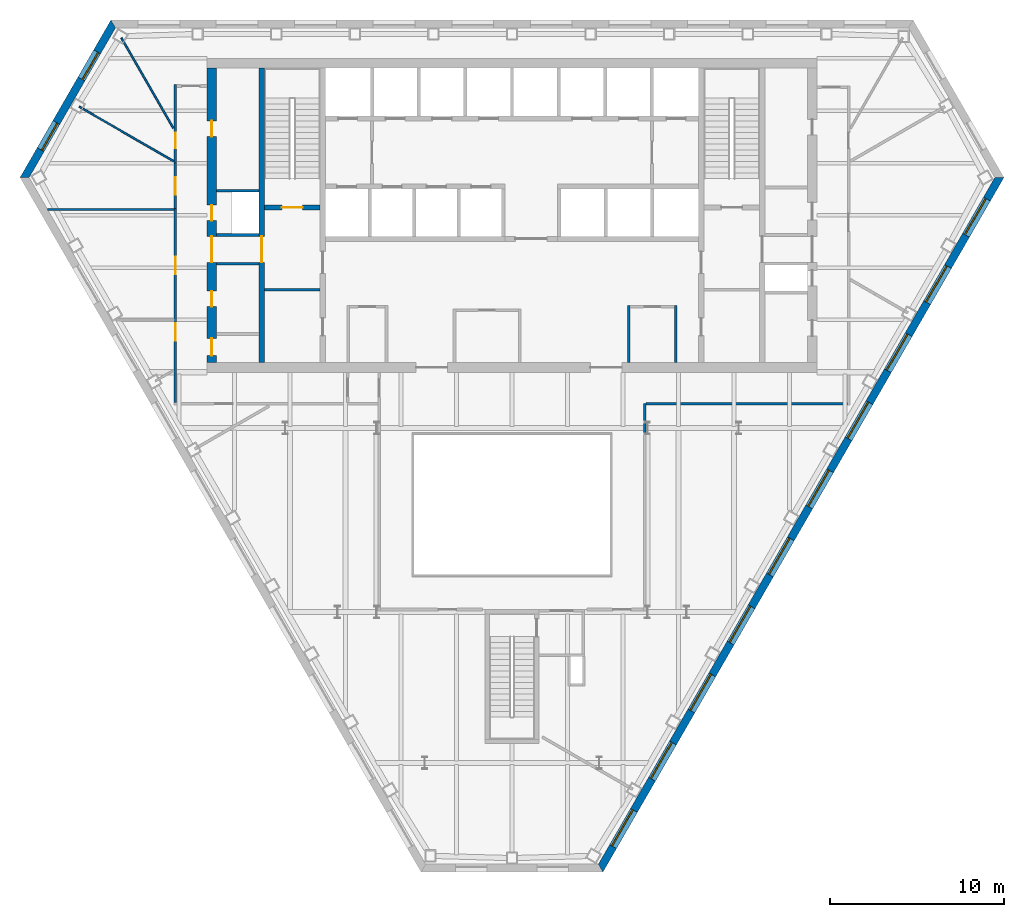
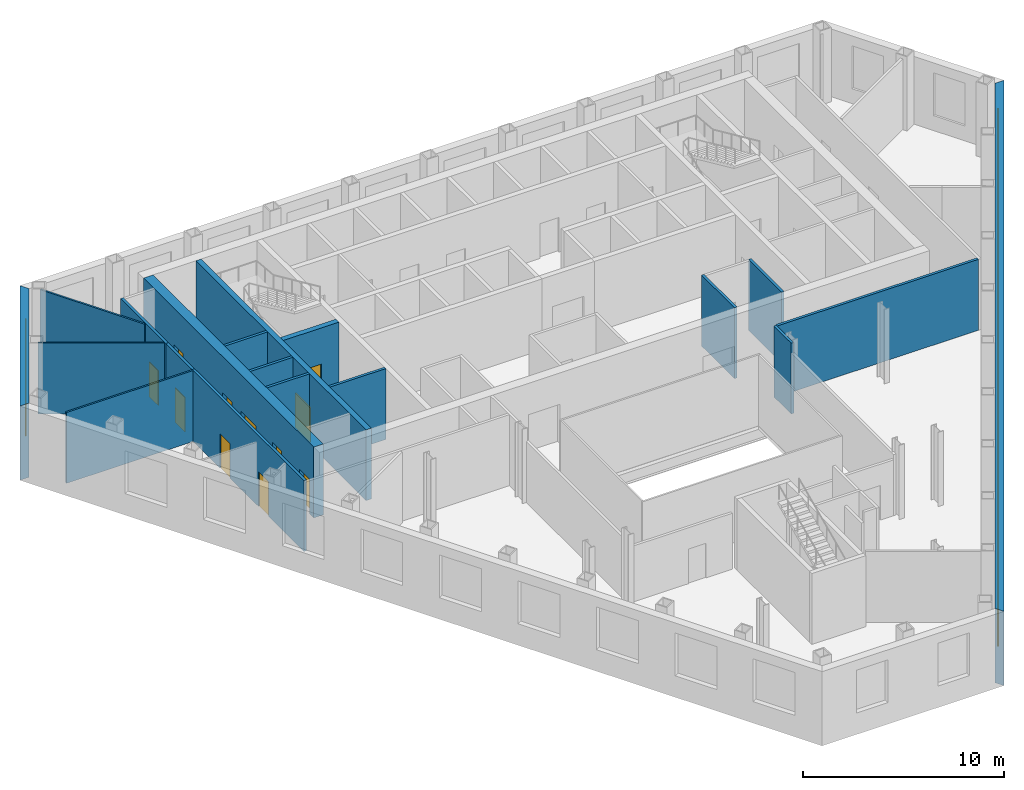
# One storey, part 5 of 11: 19 walls, 12 windows, 11 doors, 23 openings.
"""IFC4 building model written with IfcOpenShell, lengths in metres."""

from ifc_helpers import new_model, si_unit, direction, frame, frame_2d, origin, place, context, subcontext, project, spatial, polyline, rectangle, outline, extrude, material, layer, layer_set, type_object, element, fill, save


model = new_model("IFC4")

# Units and contexts
model_context = context("Model", 3, precision=1e-05, world=origin(), true_north=direction((0.0, 1.0)))
body_context = subcontext(model_context, "Body", "Model", "MODEL_VIEW")
ifc_project = project(units=[si_unit("LENGTHUNIT", "METRE"), si_unit("AREAUNIT", "SQUARE_METRE"), si_unit("VOLUMEUNIT", "CUBIC_METRE"), si_unit("PLANEANGLEUNIT", "RADIAN"), si_unit("MASSUNIT", "GRAM", prefix="KILO")], contexts=[model_context])

# Site, building, storey
site_placement = place(None, origin())
site = spatial("IfcSite", under=ifc_project, at=site_placement, CompositionType="ELEMENT")
building_placement = place(site_placement, origin())
building = spatial("IfcBuilding", under=site, at=building_placement, Name="Njiva Tower", CompositionType="ELEMENT")
storey_placement = place(building_placement, frame((0.0, 0.0, 88.8)))
storey = spatial("IfcBuildingStorey", under=building, at=storey_placement, Name="L18", CompositionType="ELEMENT", Elevation=88.8)

# Walls
ifc_material_1 = material(Name="Blockwork", Category="masonry")
ifc_layer_1 = layer(ifc_material_1, 0.15)
ifc_layer_set_1 = layer_set([ifc_layer_1], Name="Blockwork")
wall_type_1 = type_object("IfcWallType", Name="WT1 Compartment partition 150", PredefinedType="PARTITIONING", material=ifc_layer_set_1)
wall_1_placement = place(storey_placement, frame((-14.2, 4.725, 0.0), z_axis=(0.0, 0.0, 1.0), x_axis=(1.0, 0.0, 0.0)))
element("IfcWall", 1, at=wall_1_placement, inside=storey, type_object=wall_type_1, Name="Room wall A", PredefinedType="PARTITIONING", context=body_context, shape_type="SweptSolid", body=[
    extrude(rectangle(XDim=3.2, YDim=0.15, at=frame_2d((1.6, 0.0))), origin(), (0.0, 0.0, 1.0), 4.3),
])
for number, where, z_axis, x_axis, name in (
    (2, (6.7, 0.55, 0.0), (0.0, 0.0, 1.0), (0.0, 1.0, 0.0), "Information office wall west"),
    (3, (9.4, 0.55, 0.0), (0.0, 0.0, 1.0), (0.0, 1.0, 0.0), "Information office wall east"),
):
    element("IfcWall", number, at=place(storey_placement, frame(where, z_axis=z_axis, x_axis=x_axis)), inside=storey, type_object=wall_type_1, Name=name, PredefinedType="PARTITIONING", context=body_context, shape_type="SweptSolid", body=[
        extrude(rectangle(XDim=3.275, YDim=0.15, at=frame_2d((1.6375, 0.0))), origin(), (0.0, 0.0, 1.0), 4.3),
    ])

# Wall, opening, door
ifc_material_2 = material(Name="Concrete C40/50", Category="concrete")
ifc_layer_2 = layer(ifc_material_2, 0.3)
ifc_layer_set_2 = layer_set([ifc_layer_2], Name="Concrete C40/50")
wall_type_2 = type_object("IfcWallType", Name="WT10 Stair enclosure wall 300", PredefinedType="SHEAR", material=ifc_layer_set_2)
wall_2_placement = place(storey_placement, frame((-14.35, 0.55, 0.0), z_axis=(0.0, 0.0, 1.0), x_axis=(0.0, 1.0, 0.0)))
wall_2 = element("IfcWall", 4, at=wall_2_placement, inside=storey, type_object=wall_type_2, Name="Stair wall west outer", PredefinedType="SHEAR", context=body_context, shape_type="SweptSolid", body=[
    extrude(rectangle(XDim=16.9, YDim=0.3, at=frame_2d((8.45, 0.0))), origin(), (0.0, 0.0, 1.0), 4.3),
])
opening_1_placement = place(wall_2_placement, frame((5.75, 0.0, 0.0)))
opening_1 = element("IfcOpeningElement", 5, at=opening_1_placement, cuts=wall_2, Name="Opening S06-D920", PredefinedType="OPENING", context=body_context, shape_type="SweptSolid", body=[
    extrude(rectangle(XDim=1.5, YDim=2.1, at=frame_2d((0.75, 1.05))), frame((0.0, 0.16, 0.0), z_axis=(0.0, -1.0, 0.0), x_axis=(1.0, 0.0, 0.0)), (0.0, 0.0, 1.0), 0.32),
])
ifc_material_3 = material(Name="Glazed steel fire door", Category="steel")
door_type_1 = type_object("IfcDoorType", Name="D10 Exit door double 1500x2100 glazed", OperationType="DOUBLE_DOOR_SINGLE_SWING", PredefinedType="DOOR", material=ifc_material_3)
door_1_placement = place(opening_1_placement, origin())
door_1 = element("IfcDoor", 6, at=door_1_placement, inside=storey, type_object=door_type_1, Name="Stair A passage door", OperationType="DOUBLE_DOOR_SINGLE_SWING", OverallHeight=2.1, OverallWidth=1.5, PredefinedType="DOOR", context=body_context, shape_type="SweptSolid", body=[
    extrude(rectangle(XDim=1.5, YDim=2.1, at=frame_2d((0.75, 1.05))), frame((0.0, 0.025, 0.0), z_axis=(0.0, -1.0, 0.0), x_axis=(1.0, 0.0, 0.0)), (0.0, 0.0, 1.0), 0.05),
])
fill(opening_1, door_1)

wall_3_placement = place(storey_placement, frame((-14.2, 9.45, 0.0), z_axis=(0.0, 0.0, 1.0), x_axis=(1.0, 0.0, 0.0)))
wall_3 = element("IfcWall", 7, at=wall_3_placement, inside=storey, type_object=wall_type_2, Name="Stair A south wall", PredefinedType="SHEAR", context=body_context, shape_type="SweptSolid", body=[
    extrude(rectangle(XDim=3.2, YDim=0.3, at=frame_2d((1.6, 0.0))), origin(), (0.0, 0.0, 1.0), 4.3),
])
opening_2_placement = place(wall_3_placement, frame((1.0, 0.0, 0.0)))
opening_2 = element("IfcOpeningElement", 8, at=opening_2_placement, cuts=wall_3, Name="Opening S06-D913", PredefinedType="OPENING", context=body_context, shape_type="SweptSolid", body=[
    extrude(rectangle(XDim=1.2, YDim=2.1, at=frame_2d((0.6, 1.05))), frame((0.0, 0.16, 0.0), z_axis=(0.0, -1.0, 0.0), x_axis=(1.0, 0.0, 0.0)), (0.0, 0.0, 1.0), 0.32),
])
door_type_2 = type_object("IfcDoorType", Name="D7 Stair vestibule door 1200x2100 glazed", OperationType="SINGLE_SWING_LEFT", PredefinedType="DOOR", material=ifc_material_3)
door_2_placement = place(opening_2_placement, origin())
door_2 = element("IfcDoor", 9, at=door_2_placement, inside=storey, type_object=door_type_2, Name="Stair A door", OperationType="SINGLE_SWING_LEFT", OverallHeight=2.1, OverallWidth=1.2, PredefinedType="DOOR", context=body_context, shape_type="SweptSolid", body=[
    extrude(rectangle(XDim=1.2, YDim=2.1, at=frame_2d((0.6, 1.05))), frame((0.0, 0.025, 0.0), z_axis=(0.0, -1.0, 0.0), x_axis=(1.0, 0.0, 0.0)), (0.0, 0.0, 1.0), 0.05),
])
fill(opening_2, door_2)

# Wall, openings, doors
ifc_material_4 = material(Name="Concrete C60/75", Category="concrete")
ifc_layer_3 = layer(ifc_material_4, 0.55)
ifc_layer_set_3 = layer_set([ifc_layer_3], Name="Concrete C60/75")
wall_type_3 = type_object("IfcWallType", Name="WT14 Core wall 550", PredefinedType="SHEAR", material=ifc_layer_set_3)
wall_4_placement = place(storey_placement, frame((-17.225, 0.55, 0.0), z_axis=(0.0, 0.0, 1.0), x_axis=(0.0, 1.0, 0.0)))
wall_4 = element("IfcWall", 10, at=wall_4_placement, inside=storey, type_object=wall_type_3, Name="Core wall west", PredefinedType="SHEAR", context=body_context, shape_type="SweptSolid", body=[
    extrude(rectangle(XDim=16.9, YDim=0.55, at=frame_2d((8.45, 0.0))), origin(), (0.0, 0.0, 1.0), 4.3),
])
opening_3_placement = place(wall_4_placement, frame((5.75, 0.0, 0.0)))
opening_3 = element("IfcOpeningElement", 11, at=opening_3_placement, cuts=wall_4, Name="Opening S06-D921", PredefinedType="OPENING", context=body_context, shape_type="SweptSolid", body=[
    extrude(rectangle(XDim=1.5, YDim=2.1, at=frame_2d((0.75, 1.05))), frame((0.0, 0.285, 0.0), z_axis=(0.0, -1.0, 0.0), x_axis=(1.0, 0.0, 0.0)), (0.0, 0.0, 1.0), 0.57),
])
opening_4_placement = place(wall_4_placement, frame((0.4, 0.0, 0.0)))
opening_4 = element("IfcOpeningElement", 12, at=opening_4_placement, cuts=wall_4, Name="Opening S06-D922", PredefinedType="OPENING", context=body_context, shape_type="SweptSolid", body=[
    extrude(rectangle(XDim=1.0, YDim=2.1, at=frame_2d((0.5, 1.05))), frame((0.0, 0.285, 0.0), z_axis=(0.0, -1.0, 0.0), x_axis=(1.0, 0.0, 0.0)), (0.0, 0.0, 1.0), 0.57),
])
opening_5_placement = place(wall_4_placement, frame((3.2099, 0.0, 0.0)))
opening_5 = element("IfcOpeningElement", 13, at=opening_5_placement, cuts=wall_4, Name="Opening S06-D923", PredefinedType="OPENING", context=body_context, shape_type="SweptSolid", body=[
    extrude(rectangle(XDim=0.9, YDim=2.1, at=frame_2d((0.45, 1.05))), frame((0.0, 0.285, 0.0), z_axis=(0.0, -1.0, 0.0), x_axis=(1.0, 0.0, 0.0)), (0.0, 0.0, 1.0), 0.57),
])
opening_6_placement = place(wall_4_placement, frame((8.1409, 0.0, 0.0)))
opening_6 = element("IfcOpeningElement", 14, at=opening_6_placement, cuts=wall_4, Name="Opening S06-D924", PredefinedType="OPENING", context=body_context, shape_type="SweptSolid", body=[
    extrude(rectangle(XDim=0.9, YDim=2.1, at=frame_2d((0.45, 1.05))), frame((0.0, 0.285, 0.0), z_axis=(0.0, -1.0, 0.0), x_axis=(1.0, 0.0, 0.0)), (0.0, 0.0, 1.0), 0.57),
])
opening_7_placement = place(wall_4_placement, frame((12.9659, 0.0, 0.0)))
opening_7 = element("IfcOpeningElement", 15, at=opening_7_placement, cuts=wall_4, Name="Opening S06-D925", PredefinedType="OPENING", context=body_context, shape_type="SweptSolid", body=[
    extrude(rectangle(XDim=0.9, YDim=2.1, at=frame_2d((0.45, 1.05))), frame((0.0, 0.285, 0.0), z_axis=(0.0, -1.0, 0.0), x_axis=(1.0, 0.0, 0.0)), (0.0, 0.0, 1.0), 0.57),
])
door_3_placement = place(opening_3_placement, origin())
door_3 = element("IfcDoor", 16, at=door_3_placement, inside=storey, type_object=door_type_1, Name="Stair A corridor door", OperationType="DOUBLE_DOOR_SINGLE_SWING", OverallHeight=2.1, OverallWidth=1.5, PredefinedType="DOOR", context=body_context, shape_type="SweptSolid", body=[
    extrude(rectangle(XDim=1.5, YDim=2.1, at=frame_2d((0.75, 1.05))), frame((0.0, 0.025, 0.0), z_axis=(0.0, -1.0, 0.0), x_axis=(1.0, 0.0, 0.0)), (0.0, 0.0, 1.0), 0.05),
])
fill(opening_3, door_3)
ifc_material_5 = material(Name="Steel door, painted", Category="steel")
door_type_3 = type_object("IfcDoorType", Name="D4 Riser door 900x2100", OperationType="SINGLE_SWING_LEFT", PredefinedType="DOOR", material=ifc_material_5)
door_4_placement = place(opening_6_placement, origin())
door_4 = element("IfcDoor", 17, at=door_4_placement, inside=storey, type_object=door_type_3, Name="Riser door", OperationType="SINGLE_SWING_LEFT", OverallHeight=2.1, OverallWidth=0.9, PredefinedType="DOOR", context=body_context, shape_type="SweptSolid", body=[
    extrude(rectangle(XDim=0.9, YDim=2.1, at=frame_2d((0.45, 1.05))), frame((0.0, 0.025, 0.0), z_axis=(0.0, -1.0, 0.0), x_axis=(1.0, 0.0, 0.0)), (0.0, 0.0, 1.0), 0.05),
])
fill(opening_6, door_4)
door_type_4 = type_object("IfcDoorType", Name="D5 Steel door 1000x2100", OperationType="SINGLE_SWING_LEFT", PredefinedType="DOOR", material=ifc_material_5)
door_5_placement = place(opening_4_placement, origin())
door_5 = element("IfcDoor", 18, at=door_5_placement, inside=storey, type_object=door_type_4, Name="Electrical room door", OperationType="SINGLE_SWING_LEFT", OverallHeight=2.1, OverallWidth=1.0, PredefinedType="DOOR", context=body_context, shape_type="SweptSolid", body=[
    extrude(rectangle(XDim=1.0, YDim=2.1, at=frame_2d((0.5, 1.05))), frame((0.0, 0.025, 0.0), z_axis=(0.0, -1.0, 0.0), x_axis=(1.0, 0.0, 0.0)), (0.0, 0.0, 1.0), 0.05),
])
fill(opening_4, door_5)
ifc_material_6 = material(Name="Steel fire door, painted", Category="steel")
door_type_5 = type_object("IfcDoorType", Name="D6 Fire-rated door 900x2100", OperationType="SINGLE_SWING_LEFT", PredefinedType="DOOR", material=ifc_material_6)
door_6_placement = place(opening_5_placement, origin())
door_6 = element("IfcDoor", 19, at=door_6_placement, inside=storey, type_object=door_type_5, Name="First aid room door", OperationType="SINGLE_SWING_LEFT", OverallHeight=2.1, OverallWidth=0.9, PredefinedType="DOOR", context=body_context, shape_type="SweptSolid", body=[
    extrude(rectangle(XDim=0.9, YDim=2.1, at=frame_2d((0.45, 1.05))), frame((0.0, 0.025, 0.0), z_axis=(0.0, -1.0, 0.0), x_axis=(1.0, 0.0, 0.0)), (0.0, 0.0, 1.0), 0.05),
])
fill(opening_5, door_6)
door_7_placement = place(opening_7_placement, origin())
door_7 = element("IfcDoor", 20, at=door_7_placement, inside=storey, type_object=door_type_5, Name="Breakout room door", OperationType="SINGLE_SWING_RIGHT", OverallHeight=2.1, OverallWidth=0.9, PredefinedType="DOOR", context=body_context, shape_type="SweptSolid", body=[
    extrude(rectangle(XDim=0.9, YDim=2.1, at=frame_2d((0.45, 1.05))), frame((0.0, 0.025, 0.0), z_axis=(0.0, -1.0, 0.0), x_axis=(1.0, 0.0, 0.0)), (0.0, 0.0, 1.0), 0.05),
])
fill(opening_7, door_7)

# Walls
ifc_material_7 = material(Name="Gypsum board on steel studs", Category="gypsum")
ifc_layer_4 = layer(ifc_material_7, 0.1)
ifc_layer_set_4 = layer_set([ifc_layer_4], Name="Gypsum board on steel studs")
wall_type_4 = type_object("IfcWallType", Name="WT20 Gypsum partition 100", PredefinedType="PARTITIONING", material=ifc_layer_set_4)
wall_5_placement = place(storey_placement, frame((-26.632, 9.335, 0.0), z_axis=(0.0, 0.0, 1.0), x_axis=(1.0, 0.0, 0.0)))
element("IfcWall", 21, at=wall_5_placement, inside=storey, type_object=wall_type_4, Name="Partition S06-P001", PredefinedType="PARTITIONING", context=body_context, shape_type="SweptSolid", body=[
    extrude(rectangle(XDim=7.257, YDim=0.1, at=frame_2d((3.6285, 0.0))), origin(), (0.0, 0.0, 1.0), 4.3),
])
wall_6_placement = place(storey_placement, frame((-24.823, 15.234, 0.0), z_axis=(0.0, 0.0, 1.0), x_axis=(0.866023364538, -0.500003532061, 0.0)))
element("IfcWall", 22, at=wall_6_placement, inside=storey, type_object=wall_type_4, Name="Partition S06-P002", PredefinedType="PARTITIONING", context=body_context, shape_type="SweptSolid", body=[
    extrude(rectangle(XDim=6.262, YDim=0.1, at=frame_2d((3.131, 0.0))), origin(), (0.0, 0.0, 1.0), 4.3),
])
wall_7_placement = place(storey_placement, frame((-22.406, 19.18, 0.0), z_axis=(0.0, 0.0, 1.0), x_axis=(0.500026652407, -0.866010015463, 0.0)))
element("IfcWall", 23, at=wall_7_placement, inside=storey, type_object=wall_type_4, Name="Partition S06-P004", PredefinedType="PARTITIONING", context=body_context, shape_type="SweptSolid", body=[
    extrude(rectangle(XDim=5.9757, YDim=0.1, at=frame_2d((2.9878, 0.0))), origin(), (0.0, 0.0, 1.0), 4.3),
])

# Wall, opening, door
ifc_layer_5 = layer(ifc_material_7, 0.15)
ifc_layer_set_5 = layer_set([ifc_layer_5], Name="Gypsum board on steel studs")
wall_type_5 = type_object("IfcWallType", Name="WT21 Compartment wall 150", PredefinedType="PARTITIONING", material=ifc_layer_set_5)
wall_8_placement = place(storey_placement, frame((-19.301, 11.995, 0.0), z_axis=(0.0, 0.0, 1.0), x_axis=(0.000383141734, -0.999999926601, 0.0)))
wall_8 = element("IfcWall", 24, at=wall_8_placement, inside=storey, type_object=wall_type_5, Name="Partition S06-P007", PredefinedType="PARTITIONING", context=body_context, shape_type="SweptSolid", body=[
    extrude(rectangle(XDim=2.61, YDim=0.15, at=frame_2d((1.305, 0.0))), origin(), (0.0, 0.0, 1.0), 4.3),
])
opening_8_placement = place(wall_8_placement, frame((0.805, 0.0, 0.0)))
opening_8 = element("IfcOpeningElement", 25, at=opening_8_placement, cuts=wall_8, Name="Opening S06-D002", PredefinedType="OPENING", context=body_context, shape_type="SweptSolid", body=[
    extrude(rectangle(XDim=1.0, YDim=2.1, at=frame_2d((0.5, 1.05))), frame((0.0, 0.085, 0.0), z_axis=(0.0, -1.0, 0.0), x_axis=(1.0, 0.0, 0.0)), (0.0, 0.0, 1.0), 0.17),
])
ifc_material_8 = material(Name="Steel fire door set", Category="steel")
door_type_6 = type_object("IfcDoorType", Name="D37 Fire door 1000x2100", OperationType="SINGLE_SWING_LEFT", PredefinedType="DOOR", material=ifc_material_8)
door_8_placement = place(opening_8_placement, origin())
door_8 = element("IfcDoor", 26, at=door_8_placement, inside=storey, type_object=door_type_6, Name="Door S06-D002", OperationType="SINGLE_SWING_LEFT", OverallHeight=2.1, OverallWidth=1.0, PredefinedType="DOOR", context=body_context, shape_type="SweptSolid", body=[
    extrude(rectangle(XDim=1.0, YDim=2.1, at=frame_2d((0.5, 1.05))), frame((0.0, 0.025, 0.0), z_axis=(0.0, -1.0, 0.0), x_axis=(1.0, 0.0, 0.0)), (0.0, 0.0, 1.0), 0.05),
])
fill(opening_8, door_8)

# Wall, openings, doors
wall_9_placement = place(storey_placement, frame((-19.3, -1.725, 0.0), z_axis=(0.0, 0.0, 1.0), x_axis=(0.0, 1.0, 0.0)))
wall_9 = element("IfcWall", 27, at=wall_9_placement, inside=storey, type_object=wall_type_5, Name="Partition S06-P008", PredefinedType="PARTITIONING", context=body_context, shape_type="SweptSolid", body=[
    extrude(rectangle(XDim=11.11, YDim=0.15, at=frame_2d((5.555, 0.0))), origin(), (0.0, 0.0, 1.0), 4.3),
])
opening_9_placement = place(wall_9_placement, frame((3.524, 0.0, 0.0)))
opening_9 = element("IfcOpeningElement", 28, at=opening_9_placement, cuts=wall_9, Name="Opening S06-D003", PredefinedType="OPENING", context=body_context, shape_type="SweptSolid", body=[
    extrude(rectangle(XDim=1.0, YDim=2.1, at=frame_2d((0.5, 1.05))), frame((0.0, 0.085, 0.0), z_axis=(0.0, -1.0, 0.0), x_axis=(1.0, 0.0, 0.0)), (0.0, 0.0, 1.0), 0.17),
])
opening_10_placement = place(wall_9_placement, frame((7.342, 0.0, 0.0)))
opening_10 = element("IfcOpeningElement", 29, at=opening_10_placement, cuts=wall_9, Name="Opening S06-D004", PredefinedType="OPENING", context=body_context, shape_type="SweptSolid", body=[
    extrude(rectangle(XDim=1.0, YDim=2.1, at=frame_2d((0.5, 1.05))), frame((0.0, 0.085, 0.0), z_axis=(0.0, -1.0, 0.0), x_axis=(1.0, 0.0, 0.0)), (0.0, 0.0, 1.0), 0.17),
])
door_9_placement = place(opening_9_placement, origin())
door_9 = element("IfcDoor", 30, at=door_9_placement, inside=storey, type_object=door_type_6, Name="Door S06-D003", OperationType="SINGLE_SWING_RIGHT", OverallHeight=2.1, OverallWidth=1.0, PredefinedType="DOOR", context=body_context, shape_type="SweptSolid", body=[
    extrude(rectangle(XDim=1.0, YDim=2.1, at=frame_2d((0.5, 1.05))), frame((0.0, 0.025, 0.0), z_axis=(0.0, -1.0, 0.0), x_axis=(1.0, 0.0, 0.0)), (0.0, 0.0, 1.0), 0.05),
])
fill(opening_9, door_9)
door_10_placement = place(opening_10_placement, origin())
door_10 = element("IfcDoor", 31, at=door_10_placement, inside=storey, type_object=door_type_6, Name="Door S06-D004", OperationType="SINGLE_SWING_LEFT", OverallHeight=2.1, OverallWidth=1.0, PredefinedType="DOOR", context=body_context, shape_type="SweptSolid", body=[
    extrude(rectangle(XDim=1.0, YDim=2.1, at=frame_2d((0.5, 1.05))), frame((0.0, 0.025, 0.0), z_axis=(0.0, -1.0, 0.0), x_axis=(1.0, 0.0, 0.0)), (0.0, 0.0, 1.0), 0.05),
])
fill(opening_10, door_10)

# Wall, opening, door
wall_10_placement = place(storey_placement, frame((-19.3, 11.995, 0.0), z_axis=(0.0, 0.0, 1.0), x_axis=(0.0, 1.0, 0.0)))
wall_10 = element("IfcWall", 32, at=wall_10_placement, inside=storey, type_object=wall_type_5, Name="Partition S06-P009", PredefinedType="PARTITIONING", context=body_context, shape_type="SweptSolid", body=[
    extrude(rectangle(XDim=4.496, YDim=0.15, at=frame_2d((2.248, 0.0))), origin(), (0.0, 0.0, 1.0), 4.3),
])
opening_11_placement = place(wall_10_placement, frame((0.855, 0.0, 0.0)))
opening_11 = element("IfcOpeningElement", 33, at=opening_11_placement, cuts=wall_10, Name="Opening S06-D005", PredefinedType="OPENING", context=body_context, shape_type="SweptSolid", body=[
    extrude(rectangle(XDim=0.9, YDim=2.1, at=frame_2d((0.45, 1.05))), frame((0.0, 0.085, 0.0), z_axis=(0.0, -1.0, 0.0), x_axis=(1.0, 0.0, 0.0)), (0.0, 0.0, 1.0), 0.17),
])
door_type_7 = type_object("IfcDoorType", Name="D36 Fire door 900x2100", OperationType="SINGLE_SWING_LEFT", PredefinedType="DOOR", material=ifc_material_8)
door_11_placement = place(opening_11_placement, origin())
door_11 = element("IfcDoor", 34, at=door_11_placement, inside=storey, type_object=door_type_7, Name="Door S06-D005", OperationType="SINGLE_SWING_RIGHT", OverallHeight=2.1, OverallWidth=0.9, PredefinedType="DOOR", context=body_context, shape_type="SweptSolid", body=[
    extrude(rectangle(XDim=0.9, YDim=2.1, at=frame_2d((0.45, 1.05))), frame((0.0, 0.025, 0.0), z_axis=(0.0, -1.0, 0.0), x_axis=(1.0, 0.0, 0.0)), (0.0, 0.0, 1.0), 0.05),
])
fill(opening_11, door_11)

# Walls
wall_11_placement = place(storey_placement, frame((7.61, -3.508, 0.0), z_axis=(0.0, 0.0, 1.0), x_axis=(0.0, 1.0, 0.0)))
element("IfcWall", 35, at=wall_11_placement, inside=storey, type_object=wall_type_5, Name="Partition S06-P017A", PredefinedType="PARTITIONING", context=body_context, shape_type="SweptSolid", body=[
    extrude(rectangle(XDim=1.719, YDim=0.15, at=frame_2d((0.8595, 0.0))), origin(), (0.0, 0.0, 1.0), 4.3),
])
wall_12_placement = place(storey_placement, frame((7.685, -1.8, 0.0), z_axis=(0.0, 0.0, 1.0), x_axis=(1.0, 0.0, 0.0)))
element("IfcWall", 36, at=wall_12_placement, inside=storey, type_object=wall_type_5, Name="Partition S06-P018", PredefinedType="PARTITIONING", context=body_context, shape_type="SweptSolid", body=[
    extrude(rectangle(XDim=11.54, YDim=0.15, at=frame_2d((5.77, 0.0))), origin(), (0.0, 0.0, 1.0), 4.3),
])
ifc_layer_6 = layer(ifc_material_1, 0.15)
ifc_layer_set_6 = layer_set([ifc_layer_6], Name="Blockwork")
wall_type_6 = type_object("IfcWallType", Name="WT3 Riser partition 150", PredefinedType="PARTITIONING", material=ifc_layer_set_6)
wall_13_placement = place(storey_placement, frame((-16.95, 10.4069, 0.0), z_axis=(0.0, 0.0, 1.0), x_axis=(1.0, 0.0, 0.0)))
element("IfcWall", 37, at=wall_13_placement, inside=storey, type_object=wall_type_6, Name="Partition strip W10", PredefinedType="PARTITIONING", context=body_context, shape_type="SweptSolid", body=[
    extrude(rectangle(XDim=2.45, YDim=0.15, at=frame_2d((1.225, 0.0))), origin(), (0.0, 0.0, 1.0), 4.3),
])
ifc_layer_7 = layer(ifc_material_1, 0.15)
ifc_layer_set_7 = layer_set([ifc_layer_7], Name="Blockwork")
wall_type_7 = type_object("IfcWallType", Name="WT4 Stair partition 150", PredefinedType="PARTITIONING", material=ifc_layer_set_7)
for number, where, z_axis, x_axis, name in (
    (38, (-16.95, 6.225, 0.0), (0.0, 0.0, 1.0), (1.0, 0.0, 0.0), "Stair A exit passage wall south"),
    (39, (-16.95, 7.875, 0.0), (0.0, 0.0, 1.0), (1.0, 0.0, 0.0), "Stair A exit passage wall north"),
):
    element("IfcWall", number, at=place(storey_placement, frame(where, z_axis=z_axis, x_axis=x_axis)), inside=storey, type_object=wall_type_7, Name=name, PredefinedType="PARTITIONING", context=body_context, shape_type="SweptSolid", body=[
        extrude(rectangle(XDim=2.45, YDim=0.15, at=frame_2d((1.225, 0.0))), origin(), (0.0, 0.0, 1.0), 4.3),
    ])

# Wall, openings, windows
ifc_material_9 = material(Name="Brick masonry", Category="masonry")
ifc_layer_8 = layer(ifc_material_9, 0.45)
ifc_layer_set_8 = layer_set([ifc_layer_8], Name="Brick masonry")
wall_type_8 = type_object("IfcWallType", Name="WT90 Brick pier and spandrel wall 450", PredefinedType="SOLIDWALL", material=ifc_layer_set_8)
wall_14_placement = place(storey_placement, frame((5.0851, -28.4362, -0.4), z_axis=(0.0, 0.0, 1.0), x_axis=(0.499999194392, 0.866025868902, 0.0)))
wall_14 = element("IfcWall", 40, at=wall_14_placement, inside=storey, type_object=wall_type_8, Name="Facade wall SE", PredefinedType="SOLIDWALL", context=body_context, shape_type="SweptSolid", body=[
    extrude(outline(polyline([(-0.1299, -0.225), (45.8602, -0.225), (45.6004, 0.225), (0.1299, 0.225), (-0.1299, -0.225)])), origin(), (0.0, 0.0, 1.0), 4.5),
])
opening_12_placement = place(wall_14_placement, frame((1.4237, 0.0, 1.3)))
opening_12 = element("IfcOpeningElement", 41, at=opening_12_placement, cuts=wall_14, Name="Opening S06-W24", PredefinedType="OPENING", context=body_context, shape_type="SweptSolid", body=[
    extrude(rectangle(XDim=2.4, YDim=2.6, at=frame_2d((1.2, 1.3))), frame((0.0, 0.235, 0.0), z_axis=(0.0, -1.0, 0.0), x_axis=(1.0, 0.0, 0.0)), (0.0, 0.0, 1.0), 0.47),
])
opening_13_placement = place(wall_14_placement, frame((5.8919, 0.0, 1.3)))
opening_13 = element("IfcOpeningElement", 42, at=opening_13_placement, cuts=wall_14, Name="Opening S06-W25", PredefinedType="OPENING", context=body_context, shape_type="SweptSolid", body=[
    extrude(rectangle(XDim=2.4, YDim=2.6, at=frame_2d((1.2, 1.3))), frame((0.0, 0.235, 0.0), z_axis=(0.0, -1.0, 0.0), x_axis=(1.0, 0.0, 0.0)), (0.0, 0.0, 1.0), 0.47),
])
opening_14_placement = place(wall_14_placement, frame((10.3985, 0.0, 1.3)))
opening_14 = element("IfcOpeningElement", 43, at=opening_14_placement, cuts=wall_14, Name="Opening S06-W26", PredefinedType="OPENING", context=body_context, shape_type="SweptSolid", body=[
    extrude(rectangle(XDim=2.4, YDim=2.6, at=frame_2d((1.2, 1.3))), frame((0.0, 0.235, 0.0), z_axis=(0.0, -1.0, 0.0), x_axis=(1.0, 0.0, 0.0)), (0.0, 0.0, 1.0), 0.47),
])
opening_15_placement = place(wall_14_placement, frame((14.9052, 0.0, 1.3)))
opening_15 = element("IfcOpeningElement", 44, at=opening_15_placement, cuts=wall_14, Name="Opening S06-W27", PredefinedType="OPENING", context=body_context, shape_type="SweptSolid", body=[
    extrude(rectangle(XDim=2.4, YDim=2.6, at=frame_2d((1.2, 1.3))), frame((0.0, 0.235, 0.0), z_axis=(0.0, -1.0, 0.0), x_axis=(1.0, 0.0, 0.0)), (0.0, 0.0, 1.0), 0.47),
])
opening_16_placement = place(wall_14_placement, frame((19.4118, 0.0, 1.3)))
opening_16 = element("IfcOpeningElement", 45, at=opening_16_placement, cuts=wall_14, Name="Opening S06-W28", PredefinedType="OPENING", context=body_context, shape_type="SweptSolid", body=[
    extrude(rectangle(XDim=2.4, YDim=2.6, at=frame_2d((1.2, 1.3))), frame((0.0, 0.235, 0.0), z_axis=(0.0, -1.0, 0.0), x_axis=(1.0, 0.0, 0.0)), (0.0, 0.0, 1.0), 0.47),
])
opening_17_placement = place(wall_14_placement, frame((23.9184, 0.0, 1.3)))
opening_17 = element("IfcOpeningElement", 46, at=opening_17_placement, cuts=wall_14, Name="Opening S06-W29", PredefinedType="OPENING", context=body_context, shape_type="SweptSolid", body=[
    extrude(rectangle(XDim=2.4, YDim=2.6, at=frame_2d((1.2, 1.3))), frame((0.0, 0.235, 0.0), z_axis=(0.0, -1.0, 0.0), x_axis=(1.0, 0.0, 0.0)), (0.0, 0.0, 1.0), 0.47),
])
opening_18_placement = place(wall_14_placement, frame((28.425, 0.0, 1.3)))
opening_18 = element("IfcOpeningElement", 47, at=opening_18_placement, cuts=wall_14, Name="Opening S06-W30", PredefinedType="OPENING", context=body_context, shape_type="SweptSolid", body=[
    extrude(rectangle(XDim=2.4, YDim=2.6, at=frame_2d((1.2, 1.3))), frame((0.0, 0.235, 0.0), z_axis=(0.0, -1.0, 0.0), x_axis=(1.0, 0.0, 0.0)), (0.0, 0.0, 1.0), 0.47),
])
opening_19_placement = place(wall_14_placement, frame((32.9316, 0.0, 1.3)))
opening_19 = element("IfcOpeningElement", 48, at=opening_19_placement, cuts=wall_14, Name="Opening S06-W31", PredefinedType="OPENING", context=body_context, shape_type="SweptSolid", body=[
    extrude(rectangle(XDim=2.4, YDim=2.6, at=frame_2d((1.2, 1.3))), frame((0.0, 0.235, 0.0), z_axis=(0.0, -1.0, 0.0), x_axis=(1.0, 0.0, 0.0)), (0.0, 0.0, 1.0), 0.47),
])
opening_20_placement = place(wall_14_placement, frame((37.4383, 0.0, 1.3)))
opening_20 = element("IfcOpeningElement", 49, at=opening_20_placement, cuts=wall_14, Name="Opening S06-W32", PredefinedType="OPENING", context=body_context, shape_type="SweptSolid", body=[
    extrude(rectangle(XDim=2.4, YDim=2.6, at=frame_2d((1.2, 1.3))), frame((0.0, 0.235, 0.0), z_axis=(0.0, -1.0, 0.0), x_axis=(1.0, 0.0, 0.0)), (0.0, 0.0, 1.0), 0.47),
])
opening_21_placement = place(wall_14_placement, frame((41.9065, 0.0, 1.3)))
opening_21 = element("IfcOpeningElement", 50, at=opening_21_placement, cuts=wall_14, Name="Opening S06-W33", PredefinedType="OPENING", context=body_context, shape_type="SweptSolid", body=[
    extrude(rectangle(XDim=2.4, YDim=2.6, at=frame_2d((1.2, 1.3))), frame((0.0, 0.235, 0.0), z_axis=(0.0, -1.0, 0.0), x_axis=(1.0, 0.0, 0.0)), (0.0, 0.0, 1.0), 0.47),
])
ifc_material_10 = material(Name="Clear glazing in aluminium frame", Category="aluminium")
window_type_1 = type_object("IfcWindowType", Name="W92 Deep-set window 2400x2600", PartitioningType="SINGLE_PANEL", PredefinedType="WINDOW", material=ifc_material_10)
window_1_placement = place(opening_12_placement, origin())
window_1 = element("IfcWindow", 51, at=window_1_placement, inside=storey, type_object=window_type_1, Name="Window", OverallHeight=2.6, OverallWidth=2.4, PartitioningType="SINGLE_PANEL", PredefinedType="WINDOW", context=body_context, shape_type="SweptSolid", body=[
    extrude(rectangle(XDim=2.4, YDim=2.6, at=frame_2d((1.2, 1.3))), frame((0.0, 0.105, 0.0), z_axis=(0.0, -1.0, 0.0), x_axis=(1.0, 0.0, 0.0)), (0.0, 0.0, 1.0), 0.06),
])
fill(opening_12, window_1)
window_2_placement = place(opening_13_placement, origin())
window_2 = element("IfcWindow", 52, at=window_2_placement, inside=storey, type_object=window_type_1, Name="Window", OverallHeight=2.6, OverallWidth=2.4, PartitioningType="SINGLE_PANEL", PredefinedType="WINDOW", context=body_context, shape_type="SweptSolid", body=[
    extrude(rectangle(XDim=2.4, YDim=2.6, at=frame_2d((1.2, 1.3))), frame((0.0, 0.105, 0.0), z_axis=(0.0, -1.0, 0.0), x_axis=(1.0, 0.0, 0.0)), (0.0, 0.0, 1.0), 0.06),
])
fill(opening_13, window_2)
window_3_placement = place(opening_14_placement, origin())
window_3 = element("IfcWindow", 53, at=window_3_placement, inside=storey, type_object=window_type_1, Name="Window", OverallHeight=2.6, OverallWidth=2.4, PartitioningType="SINGLE_PANEL", PredefinedType="WINDOW", context=body_context, shape_type="SweptSolid", body=[
    extrude(rectangle(XDim=2.4, YDim=2.6, at=frame_2d((1.2, 1.3))), frame((0.0, 0.105, 0.0), z_axis=(0.0, -1.0, 0.0), x_axis=(1.0, 0.0, 0.0)), (0.0, 0.0, 1.0), 0.06),
])
fill(opening_14, window_3)
window_4_placement = place(opening_15_placement, origin())
window_4 = element("IfcWindow", 54, at=window_4_placement, inside=storey, type_object=window_type_1, Name="Window", OverallHeight=2.6, OverallWidth=2.4, PartitioningType="SINGLE_PANEL", PredefinedType="WINDOW", context=body_context, shape_type="SweptSolid", body=[
    extrude(rectangle(XDim=2.4, YDim=2.6, at=frame_2d((1.2, 1.3))), frame((0.0, 0.105, 0.0), z_axis=(0.0, -1.0, 0.0), x_axis=(1.0, 0.0, 0.0)), (0.0, 0.0, 1.0), 0.06),
])
fill(opening_15, window_4)
window_5_placement = place(opening_16_placement, origin())
window_5 = element("IfcWindow", 55, at=window_5_placement, inside=storey, type_object=window_type_1, Name="Window", OverallHeight=2.6, OverallWidth=2.4, PartitioningType="SINGLE_PANEL", PredefinedType="WINDOW", context=body_context, shape_type="SweptSolid", body=[
    extrude(rectangle(XDim=2.4, YDim=2.6, at=frame_2d((1.2, 1.3))), frame((0.0, 0.105, 0.0), z_axis=(0.0, -1.0, 0.0), x_axis=(1.0, 0.0, 0.0)), (0.0, 0.0, 1.0), 0.06),
])
fill(opening_16, window_5)
window_6_placement = place(opening_17_placement, origin())
window_6 = element("IfcWindow", 56, at=window_6_placement, inside=storey, type_object=window_type_1, Name="Window", OverallHeight=2.6, OverallWidth=2.4, PartitioningType="SINGLE_PANEL", PredefinedType="WINDOW", context=body_context, shape_type="SweptSolid", body=[
    extrude(rectangle(XDim=2.4, YDim=2.6, at=frame_2d((1.2, 1.3))), frame((0.0, 0.105, 0.0), z_axis=(0.0, -1.0, 0.0), x_axis=(1.0, 0.0, 0.0)), (0.0, 0.0, 1.0), 0.06),
])
fill(opening_17, window_6)
window_7_placement = place(opening_18_placement, origin())
window_7 = element("IfcWindow", 57, at=window_7_placement, inside=storey, type_object=window_type_1, Name="Window", OverallHeight=2.6, OverallWidth=2.4, PartitioningType="SINGLE_PANEL", PredefinedType="WINDOW", context=body_context, shape_type="SweptSolid", body=[
    extrude(rectangle(XDim=2.4, YDim=2.6, at=frame_2d((1.2, 1.3))), frame((0.0, 0.105, 0.0), z_axis=(0.0, -1.0, 0.0), x_axis=(1.0, 0.0, 0.0)), (0.0, 0.0, 1.0), 0.06),
])
fill(opening_18, window_7)
window_8_placement = place(opening_19_placement, origin())
window_8 = element("IfcWindow", 58, at=window_8_placement, inside=storey, type_object=window_type_1, Name="Window", OverallHeight=2.6, OverallWidth=2.4, PartitioningType="SINGLE_PANEL", PredefinedType="WINDOW", context=body_context, shape_type="SweptSolid", body=[
    extrude(rectangle(XDim=2.4, YDim=2.6, at=frame_2d((1.2, 1.3))), frame((0.0, 0.105, 0.0), z_axis=(0.0, -1.0, 0.0), x_axis=(1.0, 0.0, 0.0)), (0.0, 0.0, 1.0), 0.06),
])
fill(opening_19, window_8)
window_9_placement = place(opening_20_placement, origin())
window_9 = element("IfcWindow", 59, at=window_9_placement, inside=storey, type_object=window_type_1, Name="Window", OverallHeight=2.6, OverallWidth=2.4, PartitioningType="SINGLE_PANEL", PredefinedType="WINDOW", context=body_context, shape_type="SweptSolid", body=[
    extrude(rectangle(XDim=2.4, YDim=2.6, at=frame_2d((1.2, 1.3))), frame((0.0, 0.105, 0.0), z_axis=(0.0, -1.0, 0.0), x_axis=(1.0, 0.0, 0.0)), (0.0, 0.0, 1.0), 0.06),
])
fill(opening_20, window_9)
window_10_placement = place(opening_21_placement, origin())
window_10 = element("IfcWindow", 60, at=window_10_placement, inside=storey, type_object=window_type_1, Name="Window", OverallHeight=2.6, OverallWidth=2.4, PartitioningType="SINGLE_PANEL", PredefinedType="WINDOW", context=body_context, shape_type="SweptSolid", body=[
    extrude(rectangle(XDim=2.4, YDim=2.6, at=frame_2d((1.2, 1.3))), frame((0.0, 0.105, 0.0), z_axis=(0.0, -1.0, 0.0), x_axis=(1.0, 0.0, 0.0)), (0.0, 0.0, 1.0), 0.06),
])
fill(opening_21, window_10)

ifc_material_11 = material(Name="Brick masonry, buff", Category="masonry")
ifc_layer_9 = layer(ifc_material_11, 0.45)
ifc_layer_set_9 = layer_set([ifc_layer_9], Name="Brick masonry, buff")
wall_type_9 = type_object("IfcWallType", Name="WT94 Brick pier and spandrel wall 450, buff", PredefinedType="SOLIDWALL", material=ifc_layer_set_9)
wall_15_placement = place(storey_placement, frame((-22.8688, 19.9772, -0.4), z_axis=(0.0, 0.0, 1.0), x_axis=(-0.499997937663, -0.866026594472, 0.0)))
wall_15 = element("IfcWall", 61, at=wall_15_placement, inside=storey, type_object=wall_type_9, Name="Facade wall NW", PredefinedType="SOLIDWALL", context=body_context, shape_type="SweptSolid", body=[
    extrude(outline(polyline([(-0.1299, -0.225), (10.3001, -0.225), (10.0403, 0.225), (0.1299, 0.225), (-0.1299, -0.225)])), origin(), (0.0, 0.0, 1.0), 4.5),
])
opening_22_placement = place(wall_15_placement, frame((1.8469, 0.0, 1.3)))
opening_22 = element("IfcOpeningElement", 62, at=opening_22_placement, cuts=wall_15, Name="Opening S06-W11", PredefinedType="OPENING", context=body_context, shape_type="SweptSolid", body=[
    extrude(rectangle(XDim=1.8, YDim=2.6, at=frame_2d((0.9, 1.3))), frame((0.0, 0.235, 0.0), z_axis=(0.0, -1.0, 0.0), x_axis=(1.0, 0.0, 0.0)), (0.0, 0.0, 1.0), 0.47),
])
opening_23_placement = place(wall_15_placement, frame((6.5232, 0.0, 1.3)))
opening_23 = element("IfcOpeningElement", 63, at=opening_23_placement, cuts=wall_15, Name="Opening S06-W12", PredefinedType="OPENING", context=body_context, shape_type="SweptSolid", body=[
    extrude(rectangle(XDim=1.8, YDim=2.6, at=frame_2d((0.9, 1.3))), frame((0.0, 0.235, 0.0), z_axis=(0.0, -1.0, 0.0), x_axis=(1.0, 0.0, 0.0)), (0.0, 0.0, 1.0), 0.47),
])
window_type_2 = type_object("IfcWindowType", Name="W96 Deep-set window 1800x2600", PartitioningType="SINGLE_PANEL", PredefinedType="WINDOW", material=ifc_material_10)
window_11_placement = place(opening_22_placement, origin())
window_11 = element("IfcWindow", 64, at=window_11_placement, inside=storey, type_object=window_type_2, Name="Window", OverallHeight=2.6, OverallWidth=1.8, PartitioningType="SINGLE_PANEL", PredefinedType="WINDOW", context=body_context, shape_type="SweptSolid", body=[
    extrude(rectangle(XDim=1.8, YDim=2.6, at=frame_2d((0.9, 1.3))), frame((0.0, 0.105, 0.0), z_axis=(0.0, -1.0, 0.0), x_axis=(1.0, 0.0, 0.0)), (0.0, 0.0, 1.0), 0.06),
])
fill(opening_22, window_11)
window_12_placement = place(opening_23_placement, origin())
window_12 = element("IfcWindow", 65, at=window_12_placement, inside=storey, type_object=window_type_2, Name="Window", OverallHeight=2.6, OverallWidth=1.8, PartitioningType="SINGLE_PANEL", PredefinedType="WINDOW", context=body_context, shape_type="SweptSolid", body=[
    extrude(rectangle(XDim=1.8, YDim=2.6, at=frame_2d((0.9, 1.3))), frame((0.0, 0.105, 0.0), z_axis=(0.0, -1.0, 0.0), x_axis=(1.0, 0.0, 0.0)), (0.0, 0.0, 1.0), 0.06),
])
fill(opening_23, window_12)

save(model, "model.ifc")
